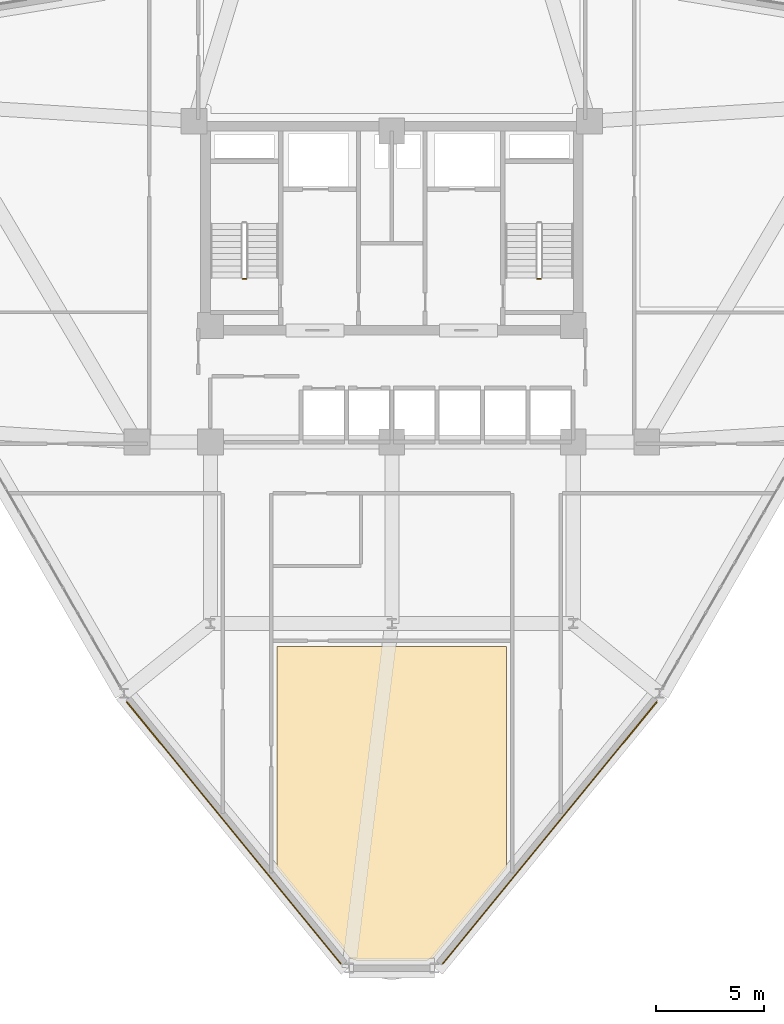
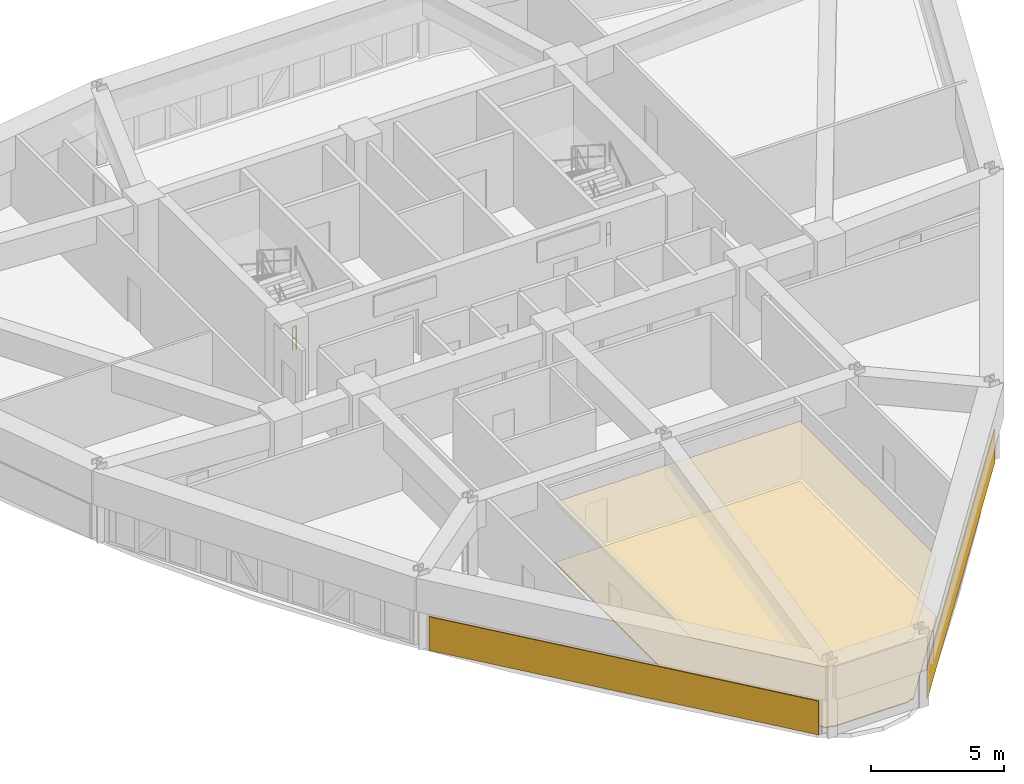
# One storey, part 13 of 15: 4 coverings, 2 railings.
"""IFC4 building model written with IfcOpenShell, lengths in metres."""

from ifc_helpers import new_model, si_unit, derived_unit, direction, frame, origin, origin_2d, place, context, subcontext, project, spatial, polyline, circle, outline, extrude, material, layer, layer_set, type_object, element, save


model = new_model("IFC4")

# Units and contexts
model_context = context("Model", 3, precision=1e-05, world=origin(), true_north=direction((0.0, 1.0)))
body_context = subcontext(model_context, "Body", "Model", "MODEL_VIEW")
ifc_project = project(units=[si_unit("LENGTHUNIT", "METRE"), si_unit("AREAUNIT", "SQUARE_METRE"), si_unit("VOLUMEUNIT", "CUBIC_METRE"), si_unit("PLANEANGLEUNIT", "RADIAN"), si_unit("MASSUNIT", "GRAM", prefix="KILO"), derived_unit("THERMALTRANSMITTANCEUNIT", [(si_unit("POWERUNIT", "WATT"), 1), (si_unit("LENGTHUNIT", "METRE"), -2), (si_unit("THERMODYNAMICTEMPERATUREUNIT", "KELVIN"), -1)])], contexts=[model_context])

# Site, building, storey
site_placement = place(None, origin())
site = spatial("IfcSite", under=ifc_project, at=site_placement, CompositionType="ELEMENT")
building_placement = place(site_placement, origin())
building = spatial("IfcBuilding", under=site, at=building_placement, Name="Korsvarv Bourse and Concert Hall", CompositionType="ELEMENT")
storey_placement = place(building_placement, frame((0.0, 0.0, 109.800048828125)))
storey = spatial("IfcBuildingStorey", under=building, at=storey_placement, Name="L27", CompositionType="ELEMENT", Elevation=109.800048828125)

# Coverings
ifc_material_1 = material(Name="Perforated mineral-wool and birch acoustic baffle ceiling", Category="wood")
ifc_layer_1 = layer(ifc_material_1, 0.02490234375)
ifc_layer_set_1 = layer_set([ifc_layer_1], Name="Perforated mineral-wool and birch acoustic baffle ceiling")
covering_type_1 = type_object("IfcCoveringType", Name="COV-CEIL-1", PredefinedType="CEILING", material=ifc_layer_set_1)
covering_1_placement = place(storey_placement, frame((0.0, 0.0, 2.780029296875)))
element("IfcCovering", 1, at=covering_1_placement, inside=storey, type_object=covering_type_1, Name="L27 acoustic baffle ceiling 2", PredefinedType="CEILING", context=body_context, shape_type="SweptSolid", body=[
    extrude(outline(polyline([(30.665771484375, 12.689453125), (30.67578125, 12.735107421875), (30.67919921875, 12.7705078125), (30.679931640625, 22.949951171875), (41.320068359375, 22.949951171875), (41.320068359375, 12.785400390625), (41.32373046875, 12.73828125), (41.33056640625, 12.7041015625), (37.889404296875, 8.472412109375), (37.7783203125, 8.472412109375), (37.743896484375, 8.468994140625), (37.7109375, 8.459228515625), (37.68017578125, 8.443359375), (37.6533203125, 8.421630859375), (37.630859375, 8.3955078125), (34.3720703125, 8.39501953125), (34.349609375, 8.41845703125), (34.32177734375, 8.438232421875), (34.29052734375, 8.452392578125), (34.25732421875, 8.46044921875), (34.11376953125, 8.46826171875), (30.665771484375, 12.689453125)])), origin(), (0.0, 0.0, 1.0), 0.02490234375),
])
ifc_material_2 = material(Name="Warm iron-oxide extruded terracotta rainscreen tile", Category="ceramic")
ifc_layer_2 = layer(ifc_material_2, 0.044921875)
ifc_layer_set_2 = layer_set([ifc_layer_2], Name="Warm iron-oxide extruded terracotta rainscreen tile")
covering_type_2 = type_object("IfcCoveringType", Name="COV-CLD-TC", PredefinedType="CLADDING", material=ifc_layer_set_2)
covering_2_placement = place(storey_placement, origin())
element("IfcCovering", 2, at=covering_2_placement, inside=storey, type_object=covering_type_2, Name="L27 fluted terracotta cladding panel EW-L27-B08", PredefinedType="CLADDING", context=body_context, shape_type="SweptSolid", body=[
    extrude(outline(polyline([(23.74365234375, 20.39599609375), (33.667236328125, 8.263916015625), (33.63232421875, 8.2353515625), (23.708740234375, 20.367431640625), (23.74365234375, 20.39599609375)])), origin(), (0.0, 0.0, 1.0), 1.550048828125),
])
covering_3_placement = place(storey_placement, origin())
element("IfcCovering", 3, at=covering_3_placement, inside=storey, type_object=covering_type_2, Name="L27 fluted terracotta cladding panel EW-L27-B10", PredefinedType="CLADDING", context=body_context, shape_type="SweptSolid", body=[
    extrude(outline(polyline([(38.332763671875, 8.263916015625), (48.25634765625, 20.39599609375), (48.291259765625, 20.367431640625), (38.36767578125, 8.2353515625), (38.332763671875, 8.263916015625)])), origin(), (0.0, 0.0, 1.0), 1.550048828125),
])
ifc_material_3 = material(Name="Calcium-sulphate raised access trading floor with Nordic oak top", Category="wood")
ifc_layer_3 = layer(ifc_material_3, 0.0400390625)
ifc_layer_set_3 = layer_set([ifc_layer_3], Name="Calcium-sulphate raised access trading floor with Nordic oak top")
covering_type_3 = type_object("IfcCoveringType", Name="COV-FLOR-1", PredefinedType="FLOORING", material=ifc_layer_set_3)
covering_4_placement = place(storey_placement, origin())
element("IfcCovering", 4, at=covering_4_placement, inside=storey, type_object=covering_type_3, Name="L27 raised access oak floor finish 2", PredefinedType="FLOORING", context=body_context, shape_type="SweptSolid", body=[
    extrude(outline(polyline([(30.665771484375, 12.689453125), (30.67578125, 12.735107421875), (30.67919921875, 12.7705078125), (30.679931640625, 22.949951171875), (41.320068359375, 22.949951171875), (41.320068359375, 12.785400390625), (41.32373046875, 12.73828125), (41.33056640625, 12.7041015625), (37.889404296875, 8.472412109375), (37.7783203125, 8.472412109375), (37.743896484375, 8.468994140625), (37.7109375, 8.459228515625), (37.68017578125, 8.443359375), (37.6533203125, 8.421630859375), (37.630859375, 8.3955078125), (34.3720703125, 8.39501953125), (34.349609375, 8.41845703125), (34.32177734375, 8.438232421875), (34.29052734375, 8.452392578125), (34.25732421875, 8.46044921875), (34.11376953125, 8.46826171875), (30.665771484375, 12.689453125)])), origin(), (0.0, 0.0, 1.0), 0.0400390625),
])

# Railings
ifc_material_4 = material(Name="Painted Steel S355 stair well guardrail", Category="steel")
railing_type = type_object("IfcRailingType", Name="RL-ST-GRD", PredefinedType="GUARDRAIL", material=ifc_material_4)
for number, where, name in (
    (5, (29.260009765625, 39.949951171875, 0.0), "L27 ST-T1 stair guard 4"),
    (6, (42.89990234375, 39.949951171875, 0.0), "L27 ST-T2 stair guard 4"),
):
    element("IfcRailing", number, at=place(storey_placement, frame(where)), inside=storey, type_object=railing_type, Name=name, PredefinedType="GUARDRAIL", context=body_context, shape_type="SweptSolid", body=[
        extrude(circle(Radius=0.02392578125, at=origin_2d()), frame((0.0, 0.0, 1.076171875), z_axis=(-1.0, 0.0, 0.0), x_axis=(0.0, -1.0, 0.0)), (0.0, 0.0, 1.0), 0.159912109375),
        extrude(circle(Radius=0.02392578125, at=origin_2d()), frame((0.0, 0.0, 0.550048828125), z_axis=(-1.0, 0.0, 0.0), x_axis=(0.0, -1.0, 0.0)), (0.0, 0.0, 1.0), 0.159912109375),
        extrude(circle(Radius=0.02099609375, at=origin_2d()), origin(), (0.0, 0.0, 1.0), 1.052001953125),
        extrude(circle(Radius=0.02099609375, at=origin_2d()), frame((-0.159912109375, 0.0, 0.0)), (0.0, 0.0, 1.0), 1.052001953125),
    ])

save(model, "model.ifc")
